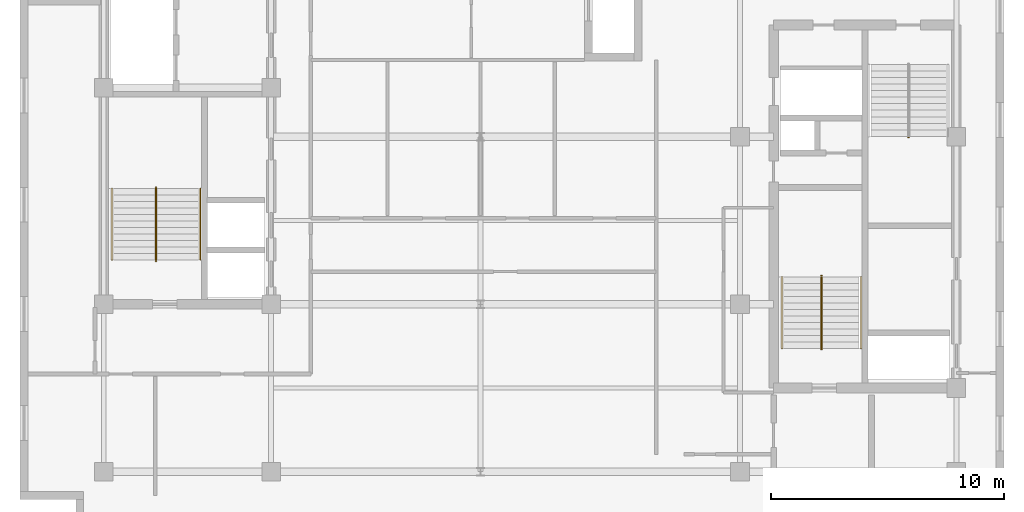
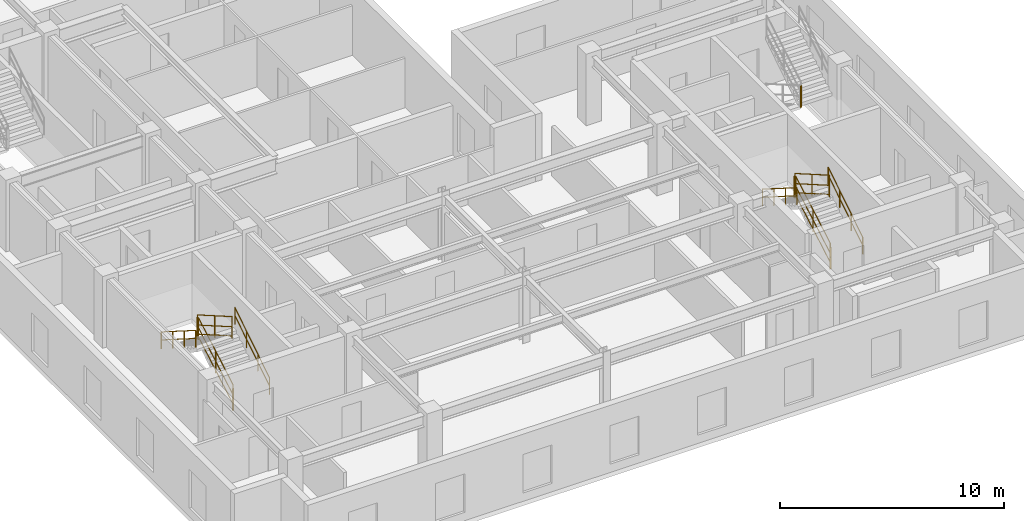
# One storey, part 8 of 10: 13 railings.
"""IFC4 building model written with IfcOpenShell, lengths in metres."""

from ifc_helpers import new_model, entity, si_unit, converted_unit, direction, frame, origin_with_axes, origin_2d_with_axis, place, context, subcontext, project, spatial, rectangle, circle, extrude, material, type_object, element, save


model = new_model("IFC4")

# Units and contexts
model_context = context("Model", 3, precision=1e-05, world=origin_with_axes(), true_north=direction((0.0, 1.0)))
body_context = subcontext(model_context, "Body", "Model", "MODEL_VIEW")
ifc_project = project(units=[si_unit("LENGTHUNIT", "METRE"), si_unit("AREAUNIT", "SQUARE_METRE"), si_unit("VOLUMEUNIT", "CUBIC_METRE"), converted_unit("PLANEANGLEUNIT", "DEGREE", entity("IfcPlaneAngleMeasure", 0.017453292519943295), si_unit("PLANEANGLEUNIT", "RADIAN"), dimensions=[0, 0, 0, 0, 0, 0, 0]), si_unit("MASSUNIT", "GRAM", prefix="KILO"), si_unit("THERMODYNAMICTEMPERATUREUNIT", "KELVIN")], contexts=[model_context])

# Site, building, storey
site_placement = place(None, origin_with_axes())
site = spatial("IfcSite", under=ifc_project, at=site_placement, CompositionType="ELEMENT")
building_placement = place(site_placement, origin_with_axes())
building = spatial("IfcBuilding", under=site, at=building_placement, Name="Varnlund Millrace Tower", CompositionType="ELEMENT")
storey_placement = place(building_placement, frame((0.0, 0.0, 264.6), z_axis=(0.0, 0.0, 1.0), x_axis=(1.0, 0.0, 0.0)))
storey = spatial("IfcBuildingStorey", under=building, at=storey_placement, Name="L65", CompositionType="ELEMENT", Elevation=264.6)

# Railings
ifc_material_1 = material(Name="Painted steel stair well balustrade guard", Category="steel")
railing_type_1 = type_object("IfcRailingType", Name="Type-StairGuard-1150", PredefinedType="GUARDRAIL", material=ifc_material_1)
railing_1_placement = place(storey_placement, frame((0.0, 0.0, -264.6), z_axis=(0.0, 0.0, 1.0), x_axis=(1.0, 0.0, 0.0)))
element("IfcRailing", 1, at=railing_1_placement, inside=storey, type_object=railing_type_1, Name="Type-StairGuard-1150", PredefinedType="GUARDRAIL", context=body_context, shape_type="SweptSolid", body=[
    extrude(circle(Radius=0.024, at=origin_2d_with_axis()), frame((13.675, 12.7, 265.927273), z_axis=(0.0, 0.866696, 0.498836), x_axis=(-1.0, 0.0, 0.0)), (0.0, 0.0, 1.0), 3.553725),
    extrude(circle(Radius=0.024, at=origin_2d_with_axis()), frame((13.675, 12.7, 264.877273), z_axis=(0.0, 0.866696, 0.498836), x_axis=(-1.0, 0.0, 0.0)), (0.0, 0.0, 1.0), 3.553725),
    extrude(circle(Radius=0.024, at=origin_2d_with_axis()), frame((13.675, 12.7, 265.375273), z_axis=(0.0, 0.866696, 0.498836), x_axis=(-1.0, 0.0, 0.0)), (0.0, 0.0, 1.0), 3.553725),
    extrude(rectangle(XDim=0.04, YDim=0.04, at=origin_2d_with_axis()), frame((13.675, 12.7, 264.737273), z_axis=(0.0, 0.0, 1.0), x_axis=(1.0, 0.0, 0.0)), (0.0, 0.0, 1.0), 1.19),
    extrude(rectangle(XDim=0.04, YDim=0.04, at=origin_2d_with_axis()), frame((13.675, 14.24, 265.623636), z_axis=(0.0, 0.0, 1.0), x_axis=(1.0, 0.0, 0.0)), (0.0, 0.0, 1.0), 1.19),
    extrude(rectangle(XDim=0.04, YDim=0.04, at=origin_2d_with_axis()), frame((13.675, 15.78, 266.51), z_axis=(0.0, 0.0, 1.0), x_axis=(1.0, 0.0, 0.0)), (0.0, 0.0, 1.0), 1.19),
])
railing_2_placement = place(storey_placement, frame((0.0, 0.0, -264.6), z_axis=(0.0, 0.0, 1.0), x_axis=(1.0, 0.0, 0.0)))
element("IfcRailing", 2, at=railing_2_placement, inside=storey, type_object=railing_type_1, Name="Type-StairGuard-1150", PredefinedType="GUARDRAIL", context=body_context, shape_type="SweptSolid", body=[
    extrude(circle(Radius=0.024, at=origin_2d_with_axis()), frame((13.625, 15.83, 267.7), z_axis=(1.0, 0.0, 0.0), x_axis=(0.0, 1.0, 0.0)), (0.0, 0.0, 1.0), 0.05),
    extrude(circle(Radius=0.024, at=origin_2d_with_axis()), frame((13.625, 15.83, 266.65), z_axis=(1.0, 0.0, 0.0), x_axis=(0.0, 1.0, 0.0)), (0.0, 0.0, 1.0), 0.05),
    extrude(circle(Radius=0.024, at=origin_2d_with_axis()), frame((13.625, 15.83, 267.148), z_axis=(1.0, 0.0, 0.0), x_axis=(0.0, 1.0, 0.0)), (0.0, 0.0, 1.0), 0.05),
    extrude(rectangle(XDim=0.04, YDim=0.04, at=origin_2d_with_axis()), frame((13.625, 15.83, 266.51), z_axis=(0.0, 0.0, 1.0), x_axis=(1.0, 0.0, 0.0)), (0.0, 0.0, 1.0), 1.19),
    extrude(rectangle(XDim=0.04, YDim=0.04, at=origin_2d_with_axis()), frame((13.675, 15.83, 266.51), z_axis=(0.0, 0.0, 1.0), x_axis=(1.0, 0.0, 0.0)), (0.0, 0.0, 1.0), 1.19),
])
railing_3_placement = place(storey_placement, frame((0.0, 0.0, -264.6), z_axis=(0.0, 0.0, 1.0), x_axis=(1.0, 0.0, 0.0)))
element("IfcRailing", 3, at=railing_3_placement, inside=storey, type_object=railing_type_1, Name="Type-StairGuard-1150", PredefinedType="GUARDRAIL", context=body_context, shape_type="SweptSolid", body=[
    extrude(circle(Radius=0.024, at=origin_2d_with_axis()), frame((13.625, 15.78, 267.877273), z_axis=(0.0, -0.866696, 0.498836), x_axis=(1.0, 0.0, 0.0)), (0.0, 0.0, 1.0), 3.553725),
    extrude(circle(Radius=0.024, at=origin_2d_with_axis()), frame((13.625, 15.78, 266.827273), z_axis=(0.0, -0.866696, 0.498836), x_axis=(1.0, 0.0, 0.0)), (0.0, 0.0, 1.0), 3.553725),
    extrude(circle(Radius=0.024, at=origin_2d_with_axis()), frame((13.625, 15.78, 267.325273), z_axis=(0.0, -0.866696, 0.498836), x_axis=(1.0, 0.0, 0.0)), (0.0, 0.0, 1.0), 3.553725),
    extrude(rectangle(XDim=0.04, YDim=0.04, at=origin_2d_with_axis()), frame((13.625, 15.78, 266.687273), z_axis=(0.0, 0.0, 1.0), x_axis=(1.0, 0.0, 0.0)), (0.0, 0.0, 1.0), 1.19),
    extrude(rectangle(XDim=0.04, YDim=0.04, at=origin_2d_with_axis()), frame((13.625, 14.24, 267.573636), z_axis=(0.0, 0.0, 1.0), x_axis=(1.0, 0.0, 0.0)), (0.0, 0.0, 1.0), 1.19),
    extrude(rectangle(XDim=0.04, YDim=0.04, at=origin_2d_with_axis()), frame((13.625, 12.7, 268.46), z_axis=(0.0, 0.0, 1.0), x_axis=(1.0, 0.0, 0.0)), (0.0, 0.0, 1.0), 1.19),
])
railing_4_placement = place(storey_placement, frame((0.0, 0.0, -264.6), z_axis=(0.0, 0.0, 1.0), x_axis=(1.0, 0.0, 0.0)))
element("IfcRailing", 4, at=railing_4_placement, inside=storey, type_object=railing_type_1, Name="Type-StairGuard-1150", PredefinedType="GUARDRAIL", context=body_context, shape_type="SweptSolid", body=[
    extrude(circle(Radius=0.024, at=origin_2d_with_axis()), frame((13.625, 12.65, 265.75), z_axis=(1.0, 0.0, 0.0), x_axis=(0.0, 1.0, 0.0)), (0.0, 0.0, 1.0), 0.05),
    extrude(circle(Radius=0.024, at=origin_2d_with_axis()), frame((13.625, 12.65, 264.7), z_axis=(1.0, 0.0, 0.0), x_axis=(0.0, 1.0, 0.0)), (0.0, 0.0, 1.0), 0.05),
    extrude(circle(Radius=0.024, at=origin_2d_with_axis()), frame((13.625, 12.65, 265.198), z_axis=(1.0, 0.0, 0.0), x_axis=(0.0, 1.0, 0.0)), (0.0, 0.0, 1.0), 0.05),
    extrude(rectangle(XDim=0.04, YDim=0.04, at=origin_2d_with_axis()), frame((13.625, 12.65, 264.56), z_axis=(0.0, 0.0, 1.0), x_axis=(1.0, 0.0, 0.0)), (0.0, 0.0, 1.0), 1.19),
    extrude(rectangle(XDim=0.04, YDim=0.04, at=origin_2d_with_axis()), frame((13.675, 12.65, 264.56), z_axis=(0.0, 0.0, 1.0), x_axis=(1.0, 0.0, 0.0)), (0.0, 0.0, 1.0), 1.19),
])
railing_5_placement = place(storey_placement, frame((0.0, 0.0, -264.6), z_axis=(0.0, 0.0, 1.0), x_axis=(1.0, 0.0, 0.0)))
element("IfcRailing", 5, at=railing_5_placement, inside=storey, type_object=railing_type_1, Name="Type-StairGuard-1150", PredefinedType="GUARDRAIL", context=body_context, shape_type="SweptSolid", body=[
    extrude(circle(Radius=0.024, at=origin_2d_with_axis()), frame((42.275, 8.9, 265.927273), z_axis=(0.0, 0.866696, 0.498836), x_axis=(-1.0, 0.0, 0.0)), (0.0, 0.0, 1.0), 3.553725),
    extrude(circle(Radius=0.024, at=origin_2d_with_axis()), frame((42.275, 8.9, 264.877273), z_axis=(0.0, 0.866696, 0.498836), x_axis=(-1.0, 0.0, 0.0)), (0.0, 0.0, 1.0), 3.553725),
    extrude(circle(Radius=0.024, at=origin_2d_with_axis()), frame((42.275, 8.9, 265.375273), z_axis=(0.0, 0.866696, 0.498836), x_axis=(-1.0, 0.0, 0.0)), (0.0, 0.0, 1.0), 3.553725),
    extrude(rectangle(XDim=0.04, YDim=0.04, at=origin_2d_with_axis()), frame((42.275, 8.9, 264.737273), z_axis=(0.0, 0.0, 1.0), x_axis=(1.0, 0.0, 0.0)), (0.0, 0.0, 1.0), 1.19),
    extrude(rectangle(XDim=0.04, YDim=0.04, at=origin_2d_with_axis()), frame((42.275, 10.44, 265.623636), z_axis=(0.0, 0.0, 1.0), x_axis=(1.0, 0.0, 0.0)), (0.0, 0.0, 1.0), 1.19),
    extrude(rectangle(XDim=0.04, YDim=0.04, at=origin_2d_with_axis()), frame((42.275, 11.98, 266.51), z_axis=(0.0, 0.0, 1.0), x_axis=(1.0, 0.0, 0.0)), (0.0, 0.0, 1.0), 1.19),
])
railing_6_placement = place(storey_placement, frame((0.0, 0.0, -264.6), z_axis=(0.0, 0.0, 1.0), x_axis=(1.0, 0.0, 0.0)))
element("IfcRailing", 6, at=railing_6_placement, inside=storey, type_object=railing_type_1, Name="Type-StairGuard-1150", PredefinedType="GUARDRAIL", context=body_context, shape_type="SweptSolid", body=[
    extrude(circle(Radius=0.024, at=origin_2d_with_axis()), frame((42.225, 12.03, 267.7), z_axis=(1.0, 0.0, 0.0), x_axis=(0.0, 1.0, 0.0)), (0.0, 0.0, 1.0), 0.05),
    extrude(circle(Radius=0.024, at=origin_2d_with_axis()), frame((42.225, 12.03, 266.65), z_axis=(1.0, 0.0, 0.0), x_axis=(0.0, 1.0, 0.0)), (0.0, 0.0, 1.0), 0.05),
    extrude(circle(Radius=0.024, at=origin_2d_with_axis()), frame((42.225, 12.03, 267.148), z_axis=(1.0, 0.0, 0.0), x_axis=(0.0, 1.0, 0.0)), (0.0, 0.0, 1.0), 0.05),
    extrude(rectangle(XDim=0.04, YDim=0.04, at=origin_2d_with_axis()), frame((42.225, 12.03, 266.51), z_axis=(0.0, 0.0, 1.0), x_axis=(1.0, 0.0, 0.0)), (0.0, 0.0, 1.0), 1.19),
    extrude(rectangle(XDim=0.04, YDim=0.04, at=origin_2d_with_axis()), frame((42.275, 12.03, 266.51), z_axis=(0.0, 0.0, 1.0), x_axis=(1.0, 0.0, 0.0)), (0.0, 0.0, 1.0), 1.19),
])
railing_7_placement = place(storey_placement, frame((0.0, 0.0, -264.6), z_axis=(0.0, 0.0, 1.0), x_axis=(1.0, 0.0, 0.0)))
element("IfcRailing", 7, at=railing_7_placement, inside=storey, type_object=railing_type_1, Name="Type-StairGuard-1150", PredefinedType="GUARDRAIL", context=body_context, shape_type="SweptSolid", body=[
    extrude(circle(Radius=0.024, at=origin_2d_with_axis()), frame((42.225, 11.98, 267.877273), z_axis=(0.0, -0.866696, 0.498836), x_axis=(1.0, 0.0, 0.0)), (0.0, 0.0, 1.0), 3.553725),
    extrude(circle(Radius=0.024, at=origin_2d_with_axis()), frame((42.225, 11.98, 266.827273), z_axis=(0.0, -0.866696, 0.498836), x_axis=(1.0, 0.0, 0.0)), (0.0, 0.0, 1.0), 3.553725),
    extrude(circle(Radius=0.024, at=origin_2d_with_axis()), frame((42.225, 11.98, 267.325273), z_axis=(0.0, -0.866696, 0.498836), x_axis=(1.0, 0.0, 0.0)), (0.0, 0.0, 1.0), 3.553725),
    extrude(rectangle(XDim=0.04, YDim=0.04, at=origin_2d_with_axis()), frame((42.225, 11.98, 266.687273), z_axis=(0.0, 0.0, 1.0), x_axis=(1.0, 0.0, 0.0)), (0.0, 0.0, 1.0), 1.19),
    extrude(rectangle(XDim=0.04, YDim=0.04, at=origin_2d_with_axis()), frame((42.225, 10.44, 267.573636), z_axis=(0.0, 0.0, 1.0), x_axis=(1.0, 0.0, 0.0)), (0.0, 0.0, 1.0), 1.19),
    extrude(rectangle(XDim=0.04, YDim=0.04, at=origin_2d_with_axis()), frame((42.225, 8.9, 268.46), z_axis=(0.0, 0.0, 1.0), x_axis=(1.0, 0.0, 0.0)), (0.0, 0.0, 1.0), 1.19),
])
railing_8_placement = place(storey_placement, frame((0.0, 0.0, -264.6), z_axis=(0.0, 0.0, 1.0), x_axis=(1.0, 0.0, 0.0)))
element("IfcRailing", 8, at=railing_8_placement, inside=storey, type_object=railing_type_1, Name="Type-StairGuard-1150", PredefinedType="GUARDRAIL", context=body_context, shape_type="SweptSolid", body=[
    extrude(circle(Radius=0.024, at=origin_2d_with_axis()), frame((42.225, 8.85, 265.75), z_axis=(1.0, 0.0, 0.0), x_axis=(0.0, 1.0, 0.0)), (0.0, 0.0, 1.0), 0.05),
    extrude(circle(Radius=0.024, at=origin_2d_with_axis()), frame((42.225, 8.85, 264.7), z_axis=(1.0, 0.0, 0.0), x_axis=(0.0, 1.0, 0.0)), (0.0, 0.0, 1.0), 0.05),
    extrude(circle(Radius=0.024, at=origin_2d_with_axis()), frame((42.225, 8.85, 265.198), z_axis=(1.0, 0.0, 0.0), x_axis=(0.0, 1.0, 0.0)), (0.0, 0.0, 1.0), 0.05),
    extrude(rectangle(XDim=0.04, YDim=0.04, at=origin_2d_with_axis()), frame((42.225, 8.85, 264.56), z_axis=(0.0, 0.0, 1.0), x_axis=(1.0, 0.0, 0.0)), (0.0, 0.0, 1.0), 1.19),
    extrude(rectangle(XDim=0.04, YDim=0.04, at=origin_2d_with_axis()), frame((42.275, 8.85, 264.56), z_axis=(0.0, 0.0, 1.0), x_axis=(1.0, 0.0, 0.0)), (0.0, 0.0, 1.0), 1.19),
])
railing_9_placement = place(storey_placement, frame((0.0, 0.0, -264.6), z_axis=(0.0, 0.0, 1.0), x_axis=(1.0, 0.0, 0.0)))
element("IfcRailing", 9, at=railing_9_placement, inside=storey, type_object=railing_type_1, Name="Type-StairGuard-1150", PredefinedType="GUARDRAIL", context=body_context, shape_type="SweptSolid", body=[
    extrude(circle(Radius=0.024, at=origin_2d_with_axis()), frame((46.025, 17.97, 267.7), z_axis=(-1.0, 0.0, 0.0), x_axis=(0.0, -1.0, 0.0)), (0.0, 0.0, 1.0), 0.05),
    extrude(circle(Radius=0.024, at=origin_2d_with_axis()), frame((46.025, 17.97, 266.65), z_axis=(-1.0, 0.0, 0.0), x_axis=(0.0, -1.0, 0.0)), (0.0, 0.0, 1.0), 0.05),
    extrude(circle(Radius=0.024, at=origin_2d_with_axis()), frame((46.025, 17.97, 267.148), z_axis=(-1.0, 0.0, 0.0), x_axis=(0.0, -1.0, 0.0)), (0.0, 0.0, 1.0), 0.05),
    extrude(rectangle(XDim=0.04, YDim=0.04, at=origin_2d_with_axis()), frame((46.025, 17.97, 266.51), z_axis=(0.0, 0.0, 1.0), x_axis=(1.0, 0.0, 0.0)), (0.0, 0.0, 1.0), 1.19),
    extrude(rectangle(XDim=0.04, YDim=0.04, at=origin_2d_with_axis()), frame((45.975, 17.97, 266.51), z_axis=(0.0, 0.0, 1.0), x_axis=(1.0, 0.0, 0.0)), (0.0, 0.0, 1.0), 1.19),
])
ifc_material_2 = material(Name="Brushed architectural bronze stair handrail", Category="aluminium")
railing_type_2 = type_object("IfcRailingType", Name="Type-StairHandrail-900", PredefinedType="HANDRAIL", material=ifc_material_2)
railing_10_placement = place(storey_placement, frame((0.0, 0.0, -264.6), z_axis=(0.0, 0.0, 1.0), x_axis=(1.0, 0.0, 0.0)))
element("IfcRailing", 10, at=railing_10_placement, inside=storey, type_object=railing_type_2, Name="Type-StairHandrail-900", PredefinedType="HANDRAIL", context=body_context, shape_type="SweptSolid", body=[
    extrude(circle(Radius=0.024, at=origin_2d_with_axis()), frame((15.55, 12.7, 265.656995), z_axis=(0.0, 0.844902, 0.534922), x_axis=(-1.0, 0.0, 0.0)), (0.0, 0.0, 1.0), 3.645394),
    extrude(circle(Radius=0.024, at=origin_2d_with_axis()), frame((15.55, 12.7, 265.217134), z_axis=(0.0, 0.844902, 0.534922), x_axis=(-1.0, 0.0, 0.0)), (0.0, 0.0, 1.0), 3.645394),
    extrude(rectangle(XDim=0.04, YDim=0.04, at=origin_2d_with_axis()), frame((15.55, 12.7, 264.737273), z_axis=(0.0, 0.0, 1.0), x_axis=(1.0, 0.0, 0.0)), (0.0, 0.0, 1.0), 0.919722),
    extrude(rectangle(XDim=0.04, YDim=0.04, at=origin_2d_with_axis()), frame((15.55, 13.726667, 265.387273), z_axis=(0.0, 0.0, 1.0), x_axis=(1.0, 0.0, 0.0)), (0.0, 0.0, 1.0), 0.919722),
    extrude(rectangle(XDim=0.04, YDim=0.04, at=origin_2d_with_axis()), frame((15.55, 14.753333, 266.037273), z_axis=(0.0, 0.0, 1.0), x_axis=(1.0, 0.0, 0.0)), (0.0, 0.0, 1.0), 0.919722),
    extrude(rectangle(XDim=0.04, YDim=0.04, at=origin_2d_with_axis()), frame((15.55, 15.78, 266.687273), z_axis=(0.0, 0.0, 1.0), x_axis=(1.0, 0.0, 0.0)), (0.0, 0.0, 1.0), 0.919722),
])
railing_11_placement = place(storey_placement, frame((0.0, 0.0, -264.6), z_axis=(0.0, 0.0, 1.0), x_axis=(1.0, 0.0, 0.0)))
element("IfcRailing", 11, at=railing_11_placement, inside=storey, type_object=railing_type_2, Name="Type-StairHandrail-900", PredefinedType="HANDRAIL", context=body_context, shape_type="SweptSolid", body=[
    extrude(circle(Radius=0.024, at=origin_2d_with_axis()), frame((11.75, 15.78, 267.606995), z_axis=(0.0, -0.844902, 0.534922), x_axis=(1.0, 0.0, 0.0)), (0.0, 0.0, 1.0), 3.645394),
    extrude(circle(Radius=0.024, at=origin_2d_with_axis()), frame((11.75, 15.78, 267.167134), z_axis=(0.0, -0.844902, 0.534922), x_axis=(1.0, 0.0, 0.0)), (0.0, 0.0, 1.0), 3.645394),
    extrude(rectangle(XDim=0.04, YDim=0.04, at=origin_2d_with_axis()), frame((11.75, 15.78, 266.687273), z_axis=(0.0, 0.0, 1.0), x_axis=(1.0, 0.0, 0.0)), (0.0, 0.0, 1.0), 0.919722),
    extrude(rectangle(XDim=0.04, YDim=0.04, at=origin_2d_with_axis()), frame((11.75, 14.753333, 267.337273), z_axis=(0.0, 0.0, 1.0), x_axis=(1.0, 0.0, 0.0)), (0.0, 0.0, 1.0), 0.919722),
    extrude(rectangle(XDim=0.04, YDim=0.04, at=origin_2d_with_axis()), frame((11.75, 13.726667, 267.987273), z_axis=(0.0, 0.0, 1.0), x_axis=(1.0, 0.0, 0.0)), (0.0, 0.0, 1.0), 0.919722),
    extrude(rectangle(XDim=0.04, YDim=0.04, at=origin_2d_with_axis()), frame((11.75, 12.7, 268.637273), z_axis=(0.0, 0.0, 1.0), x_axis=(1.0, 0.0, 0.0)), (0.0, 0.0, 1.0), 0.919722),
])
railing_12_placement = place(storey_placement, frame((0.0, 0.0, -264.6), z_axis=(0.0, 0.0, 1.0), x_axis=(1.0, 0.0, 0.0)))
element("IfcRailing", 12, at=railing_12_placement, inside=storey, type_object=railing_type_2, Name="Type-StairHandrail-900", PredefinedType="HANDRAIL", context=body_context, shape_type="SweptSolid", body=[
    extrude(circle(Radius=0.024, at=origin_2d_with_axis()), frame((43.95, 8.9, 265.656995), z_axis=(0.0, 0.844902, 0.534922), x_axis=(-1.0, 0.0, 0.0)), (0.0, 0.0, 1.0), 3.645394),
    extrude(circle(Radius=0.024, at=origin_2d_with_axis()), frame((43.95, 8.9, 265.217134), z_axis=(0.0, 0.844902, 0.534922), x_axis=(-1.0, 0.0, 0.0)), (0.0, 0.0, 1.0), 3.645394),
    extrude(rectangle(XDim=0.04, YDim=0.04, at=origin_2d_with_axis()), frame((43.95, 8.9, 264.737273), z_axis=(0.0, 0.0, 1.0), x_axis=(1.0, 0.0, 0.0)), (0.0, 0.0, 1.0), 0.919722),
    extrude(rectangle(XDim=0.04, YDim=0.04, at=origin_2d_with_axis()), frame((43.95, 9.926667, 265.387273), z_axis=(0.0, 0.0, 1.0), x_axis=(1.0, 0.0, 0.0)), (0.0, 0.0, 1.0), 0.919722),
    extrude(rectangle(XDim=0.04, YDim=0.04, at=origin_2d_with_axis()), frame((43.95, 10.953333, 266.037273), z_axis=(0.0, 0.0, 1.0), x_axis=(1.0, 0.0, 0.0)), (0.0, 0.0, 1.0), 0.919722),
    extrude(rectangle(XDim=0.04, YDim=0.04, at=origin_2d_with_axis()), frame((43.95, 11.98, 266.687273), z_axis=(0.0, 0.0, 1.0), x_axis=(1.0, 0.0, 0.0)), (0.0, 0.0, 1.0), 0.919722),
])
railing_13_placement = place(storey_placement, frame((0.0, 0.0, -264.6), z_axis=(0.0, 0.0, 1.0), x_axis=(1.0, 0.0, 0.0)))
element("IfcRailing", 13, at=railing_13_placement, inside=storey, type_object=railing_type_2, Name="Type-StairHandrail-900", PredefinedType="HANDRAIL", context=body_context, shape_type="SweptSolid", body=[
    extrude(circle(Radius=0.024, at=origin_2d_with_axis()), frame((40.55, 11.98, 267.606995), z_axis=(0.0, -0.844902, 0.534922), x_axis=(1.0, 0.0, 0.0)), (0.0, 0.0, 1.0), 3.645394),
    extrude(circle(Radius=0.024, at=origin_2d_with_axis()), frame((40.55, 11.98, 267.167134), z_axis=(0.0, -0.844902, 0.534922), x_axis=(1.0, 0.0, 0.0)), (0.0, 0.0, 1.0), 3.645394),
    extrude(rectangle(XDim=0.04, YDim=0.04, at=origin_2d_with_axis()), frame((40.55, 11.98, 266.687273), z_axis=(0.0, 0.0, 1.0), x_axis=(1.0, 0.0, 0.0)), (0.0, 0.0, 1.0), 0.919722),
    extrude(rectangle(XDim=0.04, YDim=0.04, at=origin_2d_with_axis()), frame((40.55, 10.953333, 267.337273), z_axis=(0.0, 0.0, 1.0), x_axis=(1.0, 0.0, 0.0)), (0.0, 0.0, 1.0), 0.919722),
    extrude(rectangle(XDim=0.04, YDim=0.04, at=origin_2d_with_axis()), frame((40.55, 9.926667, 267.987273), z_axis=(0.0, 0.0, 1.0), x_axis=(1.0, 0.0, 0.0)), (0.0, 0.0, 1.0), 0.919722),
    extrude(rectangle(XDim=0.04, YDim=0.04, at=origin_2d_with_axis()), frame((40.55, 8.9, 268.637273), z_axis=(0.0, 0.0, 1.0), x_axis=(1.0, 0.0, 0.0)), (0.0, 0.0, 1.0), 0.919722),
])

save(model, "model.ifc")
